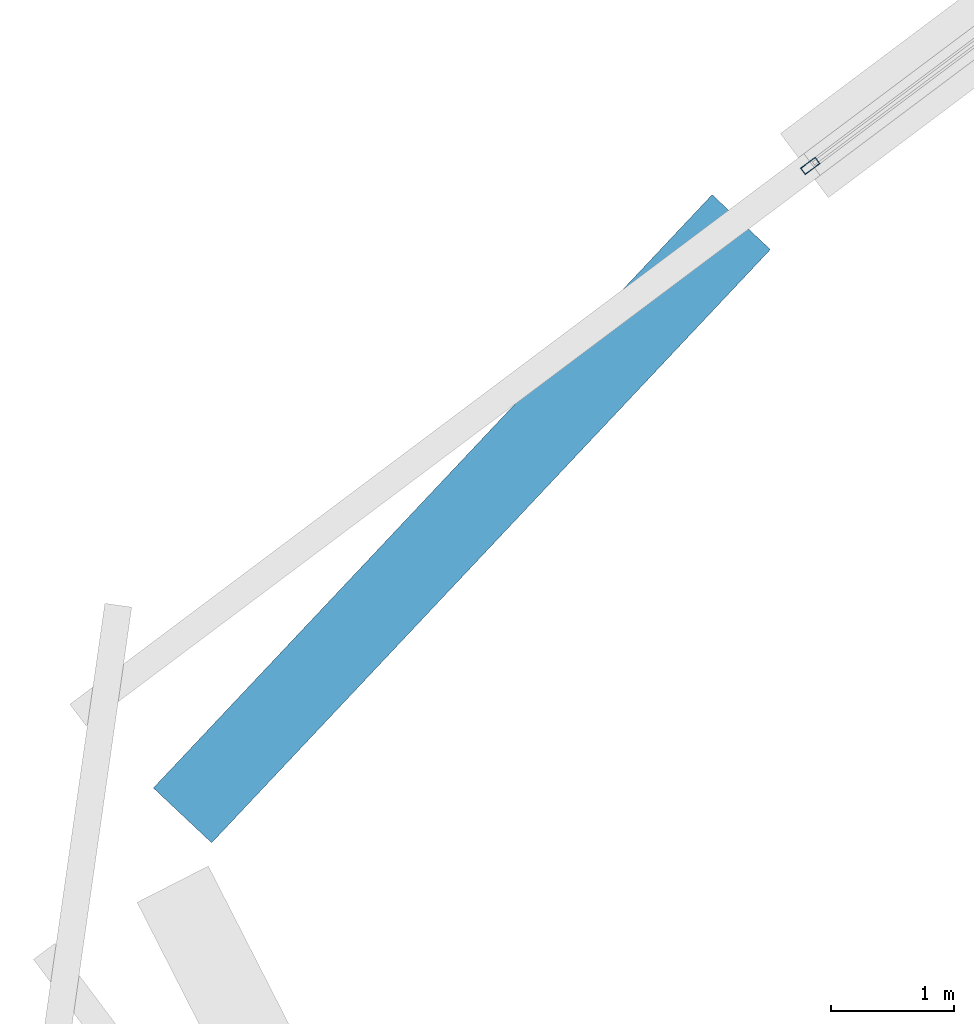
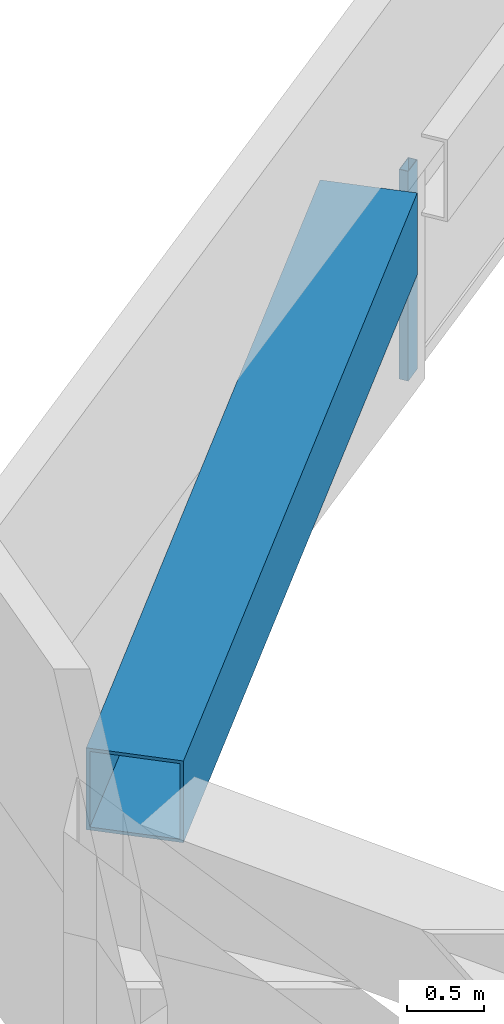
# One storey, part 14 of 31: 1 beam, 1 member, 1 element without a shape of its own.
"""IFC4 building model written with IfcOpenShell, lengths in metres."""

from ifc_helpers import new_model, si_unit, direction, frame, origin, origin_2d, place, context, subcontext, project, spatial, hollow_rectangle, extrude, material, material_profile, profile_set, type_object, element, aggregate, save


model = new_model("IFC4")

# Units and contexts
model_context = context("Model", 3, precision=1e-05, world=origin(), true_north=direction((0.0, 1.0)))
body_context = subcontext(model_context, "Body", "Model", "MODEL_VIEW")
ifc_project = project(units=[si_unit("LENGTHUNIT", "METRE"), si_unit("AREAUNIT", "SQUARE_METRE"), si_unit("VOLUMEUNIT", "CUBIC_METRE"), si_unit("PLANEANGLEUNIT", "RADIAN"), si_unit("MASSUNIT", "GRAM", prefix="KILO")], contexts=[model_context])

# Site, building, storey
site_placement = place(None, origin())
site = spatial("IfcSite", under=ifc_project, at=site_placement, CompositionType="ELEMENT")
building_placement = place(site_placement, origin())
building = spatial("IfcBuilding", under=site, at=building_placement, Name="Tashvorn Skyway Center", CompositionType="ELEMENT")
storey_placement = place(building_placement, frame((0.0, 0.0, 266.949951171875)))
storey = spatial("IfcBuildingStorey", under=building, at=storey_placement, Name="L72", CompositionType="ELEMENT", Elevation=266.949951171875)

# Beam
ifc_material_1 = material(Name="Steel ASTM A572 Grade 50", Category="steel")
ifc_material_profile_1 = material_profile(ifc_material_1, hollow_rectangle(XDim=0.64990234375, YDim=0.64990234375, WallThickness=0.02490234375, at=origin_2d()), Name="BOX650x650x25")
ifc_profile_set_1 = profile_set([ifc_material_profile_1], Name="Steel ASTM A572 Grade 50")
beam_type = type_object("IfcBeamType", Name="BM-BEAM-BOX650x650x25", PredefinedType="BEAM", material=ifc_profile_set_1)
beam_placement = place(storey_placement, frame((101.133544921875, 39.5888671875, 3.08349609375), z_axis=(-0.685594814649, -0.727983344677, 0.0), x_axis=(0.727983344677, -0.685594814649, 0.0)))
element("IfcBeam", 1, at=beam_placement, inside=storey, type_object=beam_type, Name="CROWN FRAME Tower 2 Upper-Tier Ring Beam 09", PredefinedType="BEAM", context=body_context, shape_type="SweptSolid", body=[
    extrude(hollow_rectangle(XDim=0.64990234375, YDim=0.64990234375, WallThickness=0.02490234375, at=origin_2d()), origin(), (0.0, 0.0, 1.0), 6.61767578125),
])

# Curtain wall, member
ifc_material_2 = material(Name="Thermally broken bronze-anodized aluminium 6063-T6", Category="aluminium")
curtain_wall_type = type_object("IfcCurtainWallType", Name="CW-CW-SKY", PredefinedType="NOTDEFINED", material=ifc_material_2)
curtain_wall_placement = place(storey_placement, origin())
curtain_wall = element("IfcCurtainWall", 2, at=curtain_wall_placement, inside=storey, type_object=curtain_wall_type, Name="CROWN Lantern Fritted Curtain Wall T2 N-4", PredefinedType="NOTDEFINED")
ifc_material_profile_2 = material_profile(ifc_material_2, hollow_rectangle(XDim=0.06494140625, YDim=0.14990234375, WallThickness=0.00390625, at=origin_2d()), Name="ALU-MULL-65x150")
ifc_profile_set_2 = profile_set([ifc_material_profile_2], Name="Thermally broken bronze-anodized aluminium 6063-T6")
member_type = type_object("IfcMemberType", Name="CWM-CW-SKY", PredefinedType="MULLION", material=ifc_profile_set_2)
member_placement = place(storey_placement, frame((101.694091796875, 40.04541015625, 1.445068359375), z_axis=(0.0, 0.0, 1.0), x_axis=(-0.600000000002, 0.799999999998, 0.0)))
member = element("IfcMember", 3, at=member_placement, type_object=member_type, Name="CW-SKY mullion 1", PredefinedType="MULLION", context=body_context, shape_type="SweptSolid", body=[
    extrude(hollow_rectangle(XDim=0.06494140625, YDim=0.14990234375, WallThickness=0.00390625, at=origin_2d()), origin(), (0.0, 0.0, 1.0), 1.6650390625),
])
aggregate(curtain_wall, [member])

save(model, "model.ifc")
